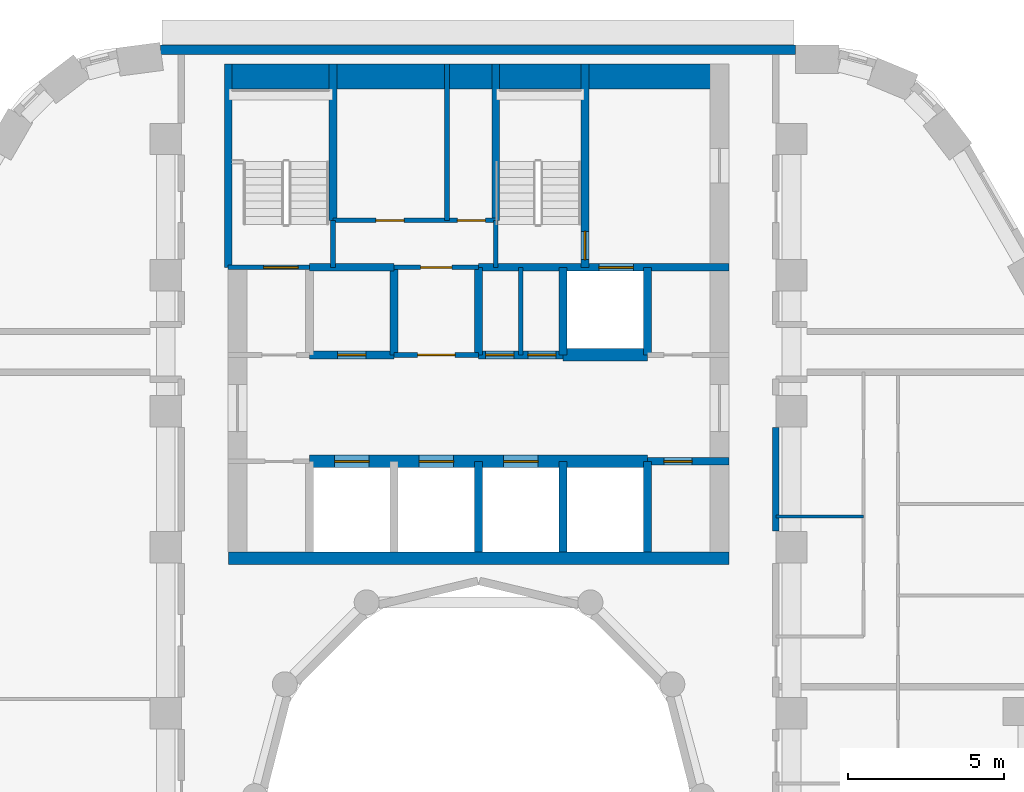
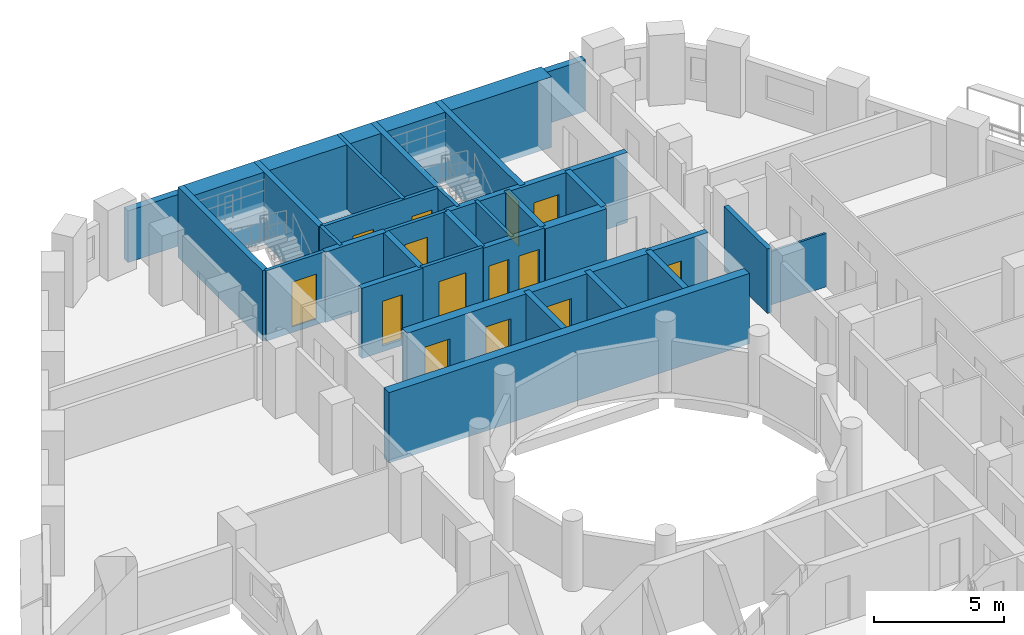
# One storey, part 7 of 13: 31 walls, 14 doors, 14 openings.
"""IFC4 building model written with IfcOpenShell, lengths in metres."""

from ifc_helpers import new_model, si_unit, direction, frame, frame_2d, origin, place, context, subcontext, project, spatial, rectangle, extrude, material, layer, layer_set, type_object, element, fill, save


model = new_model("IFC4")

# Units and contexts
model_context = context("Model", 3, precision=1e-05, world=origin(), true_north=direction((0.0, 1.0)))
body_context = subcontext(model_context, "Body", "Model", "MODEL_VIEW")
ifc_project = project(units=[si_unit("LENGTHUNIT", "METRE"), si_unit("AREAUNIT", "SQUARE_METRE"), si_unit("VOLUMEUNIT", "CUBIC_METRE"), si_unit("PLANEANGLEUNIT", "RADIAN"), si_unit("MASSUNIT", "GRAM", prefix="KILO")], contexts=[model_context])

# Site, building, storey
site_placement = place(None, origin())
site = spatial("IfcSite", under=ifc_project, at=site_placement, CompositionType="ELEMENT")
building_placement = place(site_placement, origin())
building = spatial("IfcBuilding", under=site, at=building_placement, Name="Nakaniwa Court", CompositionType="ELEMENT")
storey_placement = place(building_placement, frame((0.0, 0.0, 81.0)))
storey = spatial("IfcBuildingStorey", under=building, at=storey_placement, Name="L20", CompositionType="ELEMENT", Elevation=81.0)

# Walls
ifc_material_1 = material(Name="Acoustic double stud partition")
ifc_layer_1 = layer(ifc_material_1, 0.199951171875)
ifc_layer_set_1 = layer_set([ifc_layer_1], Name="Acoustic double stud partition")
wall_type_1 = type_object("IfcWallType", Name="Acoustic double stud partition 200", PredefinedType="PARTITIONING", material=ifc_layer_set_1)
wall_1_placement = place(storey_placement, frame((89.5, 88.467041015625, 0.0), z_axis=(0.0, 0.0, 1.0), x_axis=(0.0, 1.0, 0.0)))
element("IfcWall", 1, at=wall_1_placement, inside=storey, type_object=wall_type_1, Name="Partition PW-076", PredefinedType="PARTITIONING", context=body_context, shape_type="SweptSolid", body=[
    extrude(rectangle(XDim=3.31591796875, YDim=0.199951171875, at=frame_2d((1.657958984375, 0.0))), origin(), (0.0, 0.0, 1.0), 3.02490234375),
])
ifc_material_2 = material(Name="Charcoal ceramic cladding")
ifc_layer_2 = layer(ifc_material_2, 0.02, Name="Ceramic cladding")
ifc_material_3 = material(Name="Ventilated air cavity")
ifc_layer_3 = layer(ifc_material_3, 0.04, ventilated=True, Name="Ventilated cavity")
ifc_material_4 = material(Name="Mineral wool insulation")
ifc_layer_4 = layer(ifc_material_4, 0.1, Name="Insulation")
ifc_material_5 = material(Name="Cement bonded sheathing board")
ifc_layer_5 = layer(ifc_material_5, 0.012, Name="Sheathing")
ifc_material_6 = material(Name="Cold-formed galvanised stud frame with mineral wool infill")
ifc_layer_6 = layer(ifc_material_6, 0.1, Name="Stud frame")
ifc_material_7 = material(Name="Fire-rated gypsum plasterboard lining")
ifc_layer_7 = layer(ifc_material_7, 0.028, Name="Lining")
ifc_layer_set_2 = layer_set([ifc_layer_2, ifc_layer_3, ifc_layer_4, ifc_layer_5, ifc_layer_6, ifc_layer_7], Name="Charcoal ceramic faced external wall system")
wall_type_2 = type_object("IfcWallType", Name="Black ceramic faced external wall 300", PredefinedType="SOLIDWALL", material=ifc_layer_set_2)
wall_2_placement = place(storey_placement, frame((90.128662109375, 103.85009765625, 0.0), z_axis=(0.0, 0.0, 1.0), x_axis=(-1.0, 0.0, 0.0)))
element("IfcWall", 2, at=wall_2_placement, inside=storey, type_object=wall_type_2, Name="L20 external wall 08", PredefinedType="SOLIDWALL", context=body_context, shape_type="SweptSolid", body=[
    extrude(rectangle(XDim=20.290771484375, YDim=0.300048828125, at=frame_2d((10.1455078125, 0.0))), origin(), (0.0, 0.0, 1.0), 2.425048828125),
])

# Wall, opening, door
ifc_material_8 = material(Name="Blockwork partition", Category="masonry")
ifc_layer_8 = layer(ifc_material_8, 0.14990234375)
ifc_layer_set_3 = layer_set([ifc_layer_8], Name="Blockwork partition")
wall_type_3 = type_object("IfcWallType", Name="Blockwork partition 150", PredefinedType="PARTITIONING", material=ifc_layer_set_3)
wall_3_placement = place(storey_placement, frame((77.297119140625, 94.10009765625, 0.0), z_axis=(0.0, 0.0, 1.0), x_axis=(1.0, 0.0, 0.0)))
wall_3 = element("IfcWall", 3, at=wall_3_placement, inside=storey, type_object=wall_type_3, Name="Partition PW-017", PredefinedType="PARTITIONING", context=body_context, shape_type="SweptSolid", body=[
    extrude(rectangle(XDim=2.705810546875, YDim=0.14990234375, at=frame_2d((1.35302734375, 0.0))), origin(), (0.0, 0.0, 1.0), 3.02490234375),
])
opening_1_placement = place(wall_3_placement, frame((0.7529296875, 0.0, 0.0)))
opening_1 = element("IfcOpeningElement", 4, at=opening_1_placement, cuts=wall_3, Name="Opening D-06-01", PredefinedType="OPENING", context=body_context, shape_type="SweptSolid", body=[
    extrude(rectangle(XDim=1.199951171875, YDim=2.10009765625, at=frame_2d((0.60009765625, 1.050048828125))), frame((0.0, 0.0849609375, 0.0), z_axis=(0.0, -1.0, 0.0), x_axis=(1.0, 0.0, 0.0)), (0.0, 0.0, 1.0), 0.169921875),
])
ifc_material_9 = material(Name="Fire rated steel double door set", Category="steel")
door_type_1 = type_object("IfcDoorType", Name="Service passage double door 1200", OperationType="NOTDEFINED", PredefinedType="DOOR", material=ifc_material_9)
door_1_placement = place(opening_1_placement, origin())
door_1 = element("IfcDoor", 5, at=door_1_placement, inside=storey, type_object=door_type_1, Name="Door D-06-01 L20-005", OperationType="DOUBLE_DOOR_SINGLE_SWING", OverallHeight=2.10009765625, OverallWidth=1.199951171875, PredefinedType="DOOR", context=body_context, shape_type="SweptSolid", body=[
    extrude(rectangle(XDim=1.199951171875, YDim=2.10009765625, at=frame_2d((0.60009765625, 1.050048828125))), frame((0.0, 0.02490234375, 0.0), z_axis=(0.0, -1.0, 0.0), x_axis=(1.0, 0.0, 0.0)), (0.0, 0.0, 1.0), 0.050048828125),
])
fill(opening_1, door_1)

wall_4_placement = place(storey_placement, frame((77.300048828125, 96.89990234375, 0.0), z_axis=(0.0, 0.0, 1.0), x_axis=(1.0, 0.0, 0.0)))
wall_4 = element("IfcWall", 6, at=wall_4_placement, inside=storey, type_object=wall_type_3, Name="Partition PW-025", PredefinedType="PARTITIONING", context=body_context, shape_type="SweptSolid", body=[
    extrude(rectangle(XDim=2.699951171875, YDim=0.14990234375, at=frame_2d((1.35009765625, 0.0))), origin(), (0.0, 0.0, 1.0), 3.02490234375),
])
opening_2_placement = place(wall_4_placement, frame((0.85009765625, 0.0, 0.0)))
opening_2 = element("IfcOpeningElement", 7, at=opening_2_placement, cuts=wall_4, Name="Opening D-23-01", PredefinedType="OPENING", context=body_context, shape_type="SweptSolid", body=[
    extrude(rectangle(XDim=1.0, YDim=2.10009765625, at=frame_2d((0.5, 1.050048828125))), frame((0.0, 0.0849609375, 0.0), z_axis=(0.0, -1.0, 0.0), x_axis=(1.0, 0.0, 0.0)), (0.0, 0.0, 1.0), 0.169921875),
])
ifc_material_10 = material(Name="Fire rated steel door set", Category="steel")
door_type_2 = type_object("IfcDoorType", Name="Service room door 1000", OperationType="NOTDEFINED", PredefinedType="DOOR", material=ifc_material_10)
door_2_placement = place(opening_2_placement, origin())
door_2 = element("IfcDoor", 8, at=door_2_placement, inside=storey, type_object=door_type_2, Name="Door D-23-01 L20-009", OperationType="SINGLE_SWING_RIGHT", OverallHeight=2.10009765625, OverallWidth=1.0, PredefinedType="DOOR", context=body_context, shape_type="SweptSolid", body=[
    extrude(rectangle(XDim=1.0, YDim=2.10009765625, at=frame_2d((0.5, 1.050048828125))), frame((0.0, 0.02490234375, 0.0), z_axis=(0.0, -1.0, 0.0), x_axis=(1.0, 0.0, 0.0)), (0.0, 0.0, 1.0), 0.050048828125),
])
fill(opening_2, door_2)

# Wall
wall_5_placement = place(storey_placement, frame((81.35009765625, 94.10009765625, 0.0), z_axis=(0.0, 0.0, 1.0), x_axis=(0.0, 1.0, 0.0)))
element("IfcWall", 9, at=wall_5_placement, inside=storey, type_object=wall_type_3, Name="Partition PW-026", PredefinedType="PARTITIONING", context=body_context, shape_type="SweptSolid", body=[
    extrude(rectangle(XDim=2.7998046875, YDim=0.14990234375, at=frame_2d((1.39990234375, 0.0))), origin(), (0.0, 0.0, 1.0), 3.02490234375),
])

# Wall, openings, doors
wall_6_placement = place(storey_placement, frame((75.35009765625, 98.39990234375, 0.0), z_axis=(0.0, 0.0, 1.0), x_axis=(1.0, 0.0, 0.0)))
wall_6 = element("IfcWall", 10, at=wall_6_placement, inside=storey, type_object=wall_type_3, Name="Partition PW-033", PredefinedType="PARTITIONING", context=body_context, shape_type="SweptSolid", body=[
    extrude(rectangle(XDim=5.199951171875, YDim=0.14990234375, at=frame_2d((2.60009765625, 0.0))), origin(), (0.0, 0.0, 1.0), 3.02490234375),
])
opening_3_placement = place(wall_6_placement, frame((1.3701171875, 0.0, 0.0)))
opening_3 = element("IfcOpeningElement", 11, at=opening_3_placement, cuts=wall_6, Name="Opening D-05-07", PredefinedType="OPENING", context=body_context, shape_type="SweptSolid", body=[
    extrude(rectangle(XDim=0.89990234375, YDim=2.10009765625, at=frame_2d((0.449951171875, 1.050048828125))), frame((0.0, 0.0849609375, 0.0), z_axis=(0.0, -1.0, 0.0), x_axis=(1.0, 0.0, 0.0)), (0.0, 0.0, 1.0), 0.169921875),
])
opening_4_placement = place(wall_6_placement, frame((3.969970703125, 0.0, 0.0)))
opening_4 = element("IfcOpeningElement", 12, at=opening_4_placement, cuts=wall_6, Name="Opening D-05-08", PredefinedType="OPENING", context=body_context, shape_type="SweptSolid", body=[
    extrude(rectangle(XDim=0.89990234375, YDim=2.10009765625, at=frame_2d((0.449951171875, 1.050048828125))), frame((0.0, 0.0849609375, 0.0), z_axis=(0.0, -1.0, 0.0), x_axis=(1.0, 0.0, 0.0)), (0.0, 0.0, 1.0), 0.169921875),
])
door_type_3 = type_object("IfcDoorType", Name="Service room door 900", OperationType="NOTDEFINED", PredefinedType="DOOR", material=ifc_material_10)
door_3_placement = place(opening_3_placement, origin())
door_3 = element("IfcDoor", 13, at=door_3_placement, inside=storey, type_object=door_type_3, Name="Door D-05-07 L20-010", OperationType="SINGLE_SWING_LEFT", OverallHeight=2.10009765625, OverallWidth=0.89990234375, PredefinedType="DOOR", context=body_context, shape_type="SweptSolid", body=[
    extrude(rectangle(XDim=0.89990234375, YDim=2.10009765625, at=frame_2d((0.449951171875, 1.050048828125))), frame((0.0, 0.02490234375, 0.0), z_axis=(0.0, -1.0, 0.0), x_axis=(1.0, 0.0, 0.0)), (0.0, 0.0, 1.0), 0.050048828125),
])
fill(opening_3, door_3)
door_4_placement = place(opening_4_placement, origin())
door_4 = element("IfcDoor", 14, at=door_4_placement, inside=storey, type_object=door_type_3, Name="Door D-05-08 L20-011", OperationType="SINGLE_SWING_RIGHT", OverallHeight=2.10009765625, OverallWidth=0.89990234375, PredefinedType="DOOR", context=body_context, shape_type="SweptSolid", body=[
    extrude(rectangle(XDim=0.89990234375, YDim=2.10009765625, at=frame_2d((0.449951171875, 1.050048828125))), frame((0.0, 0.02490234375, 0.0), z_axis=(0.0, -1.0, 0.0), x_axis=(1.0, 0.0, 0.0)), (0.0, 0.0, 1.0), 0.050048828125),
])
fill(opening_4, door_4)

# Wall
wall_7_placement = place(storey_placement, frame((78.989990234375, 98.39990234375, 0.0), z_axis=(0.0, 0.0, 1.0), x_axis=(0.0, 1.0, 0.0)))
element("IfcWall", 15, at=wall_7_placement, inside=storey, type_object=wall_type_3, Name="Partition PW-034", PredefinedType="PARTITIONING", context=body_context, shape_type="SweptSolid", body=[
    extrude(rectangle(XDim=5.0, YDim=0.14990234375, at=frame_2d((2.5, 0.0))), origin(), (0.0, 0.0, 1.0), 3.02490234375),
])

# Wall, openings, doors
ifc_material_11 = material(Name="Concrete C80/100", Category="concrete")
ifc_layer_9 = layer(ifc_material_11, 0.39990234375)
ifc_layer_set_4 = layer_set([ifc_layer_9], Name="Concrete C80/100")
wall_type_4 = type_object("IfcWallType", Name="Concrete core spine wall 400 C80", PredefinedType="SHEAR", material=ifc_layer_set_4)
wall_8_placement = place(storey_placement, frame((74.60009765625, 90.699951171875, -0.27490234375), z_axis=(0.0, 0.0, 1.0), x_axis=(1.0, 0.0, 0.0)))
wall_8 = element("IfcWall", 16, at=wall_8_placement, inside=storey, type_object=wall_type_4, Name="Core wall SW-07", PredefinedType="SHEAR", context=body_context, shape_type="SweptSolid", body=[
    extrude(rectangle(XDim=10.7998046875, YDim=0.39990234375, at=frame_2d((5.39990234375, 0.0))), origin(), (0.0, 0.0, 1.0), 3.2998046875),
])
opening_5_placement = place(wall_8_placement, frame((0.800048828125, 0.0, 0.27490234375)))
opening_5 = element("IfcOpeningElement", 17, at=opening_5_placement, cuts=wall_8, Name="Opening LD01", PredefinedType="OPENING", context=body_context, shape_type="SweptSolid", body=[
    extrude(rectangle(XDim=1.10009765625, YDim=2.10009765625, at=frame_2d((0.550048828125, 1.050048828125))), frame((0.0, 0.2099609375, 0.0), z_axis=(0.0, -1.0, 0.0), x_axis=(1.0, 0.0, 0.0)), (0.0, 0.0, 1.0), 0.419921875),
])
opening_6_placement = place(wall_8_placement, frame((3.5, 0.0, 0.27490234375)))
opening_6 = element("IfcOpeningElement", 18, at=opening_6_placement, cuts=wall_8, Name="Opening LD02", PredefinedType="OPENING", context=body_context, shape_type="SweptSolid", body=[
    extrude(rectangle(XDim=1.10009765625, YDim=2.10009765625, at=frame_2d((0.550048828125, 1.050048828125))), frame((0.0, 0.2099609375, 0.0), z_axis=(0.0, -1.0, 0.0), x_axis=(1.0, 0.0, 0.0)), (0.0, 0.0, 1.0), 0.419921875),
])
opening_7_placement = place(wall_8_placement, frame((6.199951171875, 0.0, 0.27490234375)))
opening_7 = element("IfcOpeningElement", 19, at=opening_7_placement, cuts=wall_8, Name="Opening LD03", PredefinedType="OPENING", context=body_context, shape_type="SweptSolid", body=[
    extrude(rectangle(XDim=1.10009765625, YDim=2.10009765625, at=frame_2d((0.550048828125, 1.050048828125))), frame((0.0, 0.2099609375, 0.0), z_axis=(0.0, -1.0, 0.0), x_axis=(1.0, 0.0, 0.0)), (0.0, 0.0, 1.0), 0.419921875),
])
ifc_material_12 = material(Name="Stainless steel sliding lift landing door", Category="steel")
door_type_4 = type_object("IfcDoorType", Name="Lift landing door 1100", OperationType="NOTDEFINED", PredefinedType="DOOR", material=ifc_material_12)
door_5_placement = place(opening_5_placement, origin())
door_5 = element("IfcDoor", 20, at=door_5_placement, inside=storey, type_object=door_type_4, Name="Lift landing door LD01 L20-001", OperationType="SLIDING_TO_LEFT", OverallHeight=2.10009765625, OverallWidth=1.10009765625, PredefinedType="DOOR", context=body_context, shape_type="SweptSolid", body=[
    extrude(rectangle(XDim=1.10009765625, YDim=2.10009765625, at=frame_2d((0.550048828125, 1.050048828125))), frame((0.0, 0.02490234375, 0.0), z_axis=(0.0, -1.0, 0.0), x_axis=(1.0, 0.0, 0.0)), (0.0, 0.0, 1.0), 0.050048828125),
])
fill(opening_5, door_5)
door_6_placement = place(opening_6_placement, origin())
door_6 = element("IfcDoor", 21, at=door_6_placement, inside=storey, type_object=door_type_4, Name="Lift landing door LD02 L20-002", OperationType="SLIDING_TO_LEFT", OverallHeight=2.10009765625, OverallWidth=1.10009765625, PredefinedType="DOOR", context=body_context, shape_type="SweptSolid", body=[
    extrude(rectangle(XDim=1.10009765625, YDim=2.10009765625, at=frame_2d((0.550048828125, 1.050048828125))), frame((0.0, 0.02490234375, 0.0), z_axis=(0.0, -1.0, 0.0), x_axis=(1.0, 0.0, 0.0)), (0.0, 0.0, 1.0), 0.050048828125),
])
fill(opening_6, door_6)
door_7_placement = place(opening_7_placement, origin())
door_7 = element("IfcDoor", 22, at=door_7_placement, inside=storey, type_object=door_type_4, Name="Lift landing door LD03 L20-003", OperationType="SLIDING_TO_LEFT", OverallHeight=2.10009765625, OverallWidth=1.10009765625, PredefinedType="DOOR", context=body_context, shape_type="SweptSolid", body=[
    extrude(rectangle(XDim=1.10009765625, YDim=2.10009765625, at=frame_2d((0.550048828125, 1.050048828125))), frame((0.0, 0.02490234375, 0.0), z_axis=(0.0, -1.0, 0.0), x_axis=(1.0, 0.0, 0.0)), (0.0, 0.0, 1.0), 0.050048828125),
])
fill(opening_7, door_7)

# Wall
wall_9_placement = place(storey_placement, frame((82.697021484375, 94.10009765625, -0.27490234375), z_axis=(0.0, 0.0, 1.0), x_axis=(1.0, 0.0, 0.0)))
element("IfcWall", 23, at=wall_9_placement, inside=storey, type_object=wall_type_4, Name="Core wall SW-21", PredefinedType="SHEAR", context=body_context, shape_type="SweptSolid", body=[
    extrude(rectangle(XDim=2.7060546875, YDim=0.39990234375, at=frame_2d((1.35302734375, 0.0))), origin(), (0.0, 0.0, 1.0), 3.2998046875),
])

# Wall, opening, door
ifc_layer_10 = layer(ifc_material_11, 0.14990234375)
ifc_layer_set_5 = layer_set([ifc_layer_10], Name="Concrete C80/100")
wall_type_5 = type_object("IfcWallType", Name="Concrete core wall 150 C80", PredefinedType="SHEAR", material=ifc_layer_set_5)
wall_10_placement = place(storey_placement, frame((74.60009765625, 96.89990234375, -0.27490234375), z_axis=(0.0, 0.0, 1.0), x_axis=(-1.0, 0.0, 0.0)))
wall_10 = element("IfcWall", 24, at=wall_10_placement, inside=storey, type_object=wall_type_5, Name="Core wall SW-22", PredefinedType="SHEAR", context=body_context, shape_type="SweptSolid", body=[
    extrude(rectangle(XDim=2.60009765625, YDim=0.14990234375, at=frame_2d((1.300048828125, 0.0))), origin(), (0.0, 0.0, 1.0), 3.2998046875),
])
opening_8_placement = place(wall_10_placement, frame((0.3701171875, 0.0, 0.27490234375)))
opening_8 = element("IfcOpeningElement", 25, at=opening_8_placement, cuts=wall_10, Name="Opening D-09-01", PredefinedType="OPENING", context=body_context, shape_type="SweptSolid", body=[
    extrude(rectangle(XDim=1.10009765625, YDim=2.10009765625, at=frame_2d((0.550048828125, 1.050048828125))), frame((0.0, 0.0849609375, 0.0), z_axis=(0.0, -1.0, 0.0), x_axis=(1.0, 0.0, 0.0)), (0.0, 0.0, 1.0), 0.169921875),
])
door_type_5 = type_object("IfcDoorType", Name="Stair door 1100", OperationType="NOTDEFINED", PredefinedType="DOOR", material=ifc_material_10)
door_8_placement = place(opening_8_placement, origin())
door_8 = element("IfcDoor", 26, at=door_8_placement, inside=storey, type_object=door_type_5, Name="Door D-09-01 L20-012", OperationType="SINGLE_SWING_RIGHT", OverallHeight=2.10009765625, OverallWidth=1.10009765625, PredefinedType="DOOR", context=body_context, shape_type="SweptSolid", body=[
    extrude(rectangle(XDim=1.10009765625, YDim=2.10009765625, at=frame_2d((0.550048828125, 1.050048828125))), frame((0.0, 0.02490234375, 0.0), z_axis=(0.0, -1.0, 0.0), x_axis=(1.0, 0.0, 0.0)), (0.0, 0.0, 1.0), 0.050048828125),
])
fill(opening_8, door_8)

# Walls
for number, where, z_axis, x_axis, name in (
    (27, (75.35009765625, 96.89990234375, -0.27490234375), (0.0, 0.0, 1.0), (0.0, 1.0, 0.0), "Core wall SW-27"),
    (28, (80.550048828125, 96.89990234375, -0.27490234375), (0.0, 0.0, 1.0), (0.0, 1.0, 0.0), "Core wall SW-31"),
):
    element("IfcWall", number, at=place(storey_placement, frame(where, z_axis=z_axis, x_axis=x_axis)), inside=storey, type_object=wall_type_5, Name=name, PredefinedType="SHEAR", context=body_context, shape_type="SweptSolid", body=[
        extrude(rectangle(XDim=1.503173828125, YDim=0.14990234375, at=frame_2d((0.75146484375, 0.0))), origin(), (0.0, 0.0, 1.0), 3.2998046875),
    ])
ifc_layer_11 = layer(ifc_material_11, 0.25)
ifc_layer_set_6 = layer_set([ifc_layer_11], Name="Concrete C80/100")
wall_type_6 = type_object("IfcWallType", Name="Concrete core wall 250 C80", PredefinedType="SHEAR", material=ifc_layer_set_6)
wall_11_placement = place(storey_placement, frame((72.0, 96.89990234375, -0.27490234375), z_axis=(0.0, 0.0, 1.0), x_axis=(0.0, 1.0, 0.0)))
element("IfcWall", 29, at=wall_11_placement, inside=storey, type_object=wall_type_6, Name="Core wall SW-29", PredefinedType="SHEAR", context=body_context, shape_type="SweptSolid", body=[
    extrude(rectangle(XDim=6.5, YDim=0.25, at=frame_2d((3.25, 0.0))), origin(), (0.0, 0.0, 1.0), 3.2998046875),
])
ifc_layer_12 = layer(ifc_material_11, 0.800048828125)
ifc_layer_set_7 = layer_set([ifc_layer_12], Name="Concrete C80/100")
wall_type_7 = type_object("IfcWallType", Name="Concrete core wall 800 C80", PredefinedType="SHEAR", material=ifc_layer_set_7)
wall_12_placement = place(storey_placement, frame((72.00390625, 103.0, -0.27490234375), z_axis=(0.0, 0.0, 1.0), x_axis=(1.0, 0.0, 0.0)))
element("IfcWall", 30, at=wall_12_placement, inside=storey, type_object=wall_type_7, Name="Core wall SW-123", PredefinedType="SHEAR", context=body_context, shape_type="SweptSolid", body=[
    extrude(rectangle(XDim=15.9921875, YDim=0.800048828125, at=frame_2d((7.99609375, 0.0))), origin(), (0.0, 0.0, 1.0), 3.2998046875),
])
ifc_layer_13 = layer(ifc_material_11, 0.39990234375)
ifc_layer_set_8 = layer_set([ifc_layer_13], Name="Concrete C80/100")
wall_type_8 = type_object("IfcWallType", Name="Concrete core well wall 400 C80", PredefinedType="SHEAR", material=ifc_layer_set_8)
wall_13_placement = place(storey_placement, frame((72.00390625, 87.60009765625, -0.27490234375), z_axis=(0.0, 0.0, 1.0), x_axis=(1.0, 0.0, 0.0)))
element("IfcWall", 31, at=wall_13_placement, inside=storey, type_object=wall_type_8, Name="Core wall SW-122", PredefinedType="SHEAR", context=body_context, shape_type="SweptSolid", body=[
    extrude(rectangle(XDim=15.9921875, YDim=0.39990234375, at=frame_2d((7.99609375, 0.0))), origin(), (0.0, 0.0, 1.0), 3.2998046875),
])
ifc_layer_14 = layer(ifc_material_11, 0.25)
ifc_layer_set_9 = layer_set([ifc_layer_14], Name="Concrete C80/100")
wall_type_9 = type_object("IfcWallType", Name="Concrete shaft wall 250 C80", PredefinedType="SHEAR", material=ifc_layer_set_9)
wall_14_placement = place(storey_placement, frame((77.300048828125, 94.10009765625, -0.27490234375), z_axis=(0.0, 0.0, 1.0), x_axis=(0.0, 1.0, 0.0)))
element("IfcWall", 32, at=wall_14_placement, inside=storey, type_object=wall_type_9, Name="Core wall SW-06", PredefinedType="SHEAR", context=body_context, shape_type="SweptSolid", body=[
    extrude(rectangle(XDim=2.7998046875, YDim=0.25, at=frame_2d((1.39990234375, 0.0))), origin(), (0.0, 0.0, 1.0), 3.2998046875),
])
wall_15_placement = place(storey_placement, frame((80.0, 87.800048828125, -0.27490234375), z_axis=(0.0, 0.0, 1.0), x_axis=(0.0, 1.0, 0.0)))
element("IfcWall", 33, at=wall_15_placement, inside=storey, type_object=wall_type_9, Name="Core wall SW-08", PredefinedType="SHEAR", context=body_context, shape_type="SweptSolid", body=[
    extrude(rectangle(XDim=2.89990234375, YDim=0.25, at=frame_2d((1.449951171875, 0.0))), origin(), (0.0, 0.0, 1.0), 3.2998046875),
])
wall_16_placement = place(storey_placement, frame((80.0, 94.10009765625, -0.27490234375), z_axis=(0.0, 0.0, 1.0), x_axis=(0.0, 1.0, 0.0)))
element("IfcWall", 34, at=wall_16_placement, inside=storey, type_object=wall_type_9, Name="Core wall SW-09", PredefinedType="SHEAR", context=body_context, shape_type="SweptSolid", body=[
    extrude(rectangle(XDim=2.7998046875, YDim=0.25, at=frame_2d((1.39990234375, 0.0))), origin(), (0.0, 0.0, 1.0), 3.2998046875),
])
wall_17_placement = place(storey_placement, frame((82.699951171875, 87.800048828125, -0.27490234375), z_axis=(0.0, 0.0, 1.0), x_axis=(0.0, 1.0, 0.0)))
element("IfcWall", 35, at=wall_17_placement, inside=storey, type_object=wall_type_9, Name="Core wall SW-10", PredefinedType="SHEAR", context=body_context, shape_type="SweptSolid", body=[
    extrude(rectangle(XDim=2.89990234375, YDim=0.25, at=frame_2d((1.449951171875, 0.0))), origin(), (0.0, 0.0, 1.0), 3.2998046875),
])
wall_18_placement = place(storey_placement, frame((82.699951171875, 94.10009765625, -0.27490234375), z_axis=(0.0, 0.0, 1.0), x_axis=(0.0, 1.0, 0.0)))
element("IfcWall", 36, at=wall_18_placement, inside=storey, type_object=wall_type_9, Name="Core wall SW-11", PredefinedType="SHEAR", context=body_context, shape_type="SweptSolid", body=[
    extrude(rectangle(XDim=2.7998046875, YDim=0.25, at=frame_2d((1.39990234375, 0.0))), origin(), (0.0, 0.0, 1.0), 3.2998046875),
])
wall_19_placement = place(storey_placement, frame((85.39990234375, 87.800048828125, -0.27490234375), z_axis=(0.0, 0.0, 1.0), x_axis=(0.0, 1.0, 0.0)))
element("IfcWall", 37, at=wall_19_placement, inside=storey, type_object=wall_type_9, Name="Core wall SW-12", PredefinedType="SHEAR", context=body_context, shape_type="SweptSolid", body=[
    extrude(rectangle(XDim=2.89990234375, YDim=0.25, at=frame_2d((1.449951171875, 0.0))), origin(), (0.0, 0.0, 1.0), 3.2998046875),
])
wall_20_placement = place(storey_placement, frame((85.39990234375, 94.10009765625, -0.27490234375), z_axis=(0.0, 0.0, 1.0), x_axis=(0.0, 1.0, 0.0)))
element("IfcWall", 38, at=wall_20_placement, inside=storey, type_object=wall_type_9, Name="Core wall SW-13", PredefinedType="SHEAR", context=body_context, shape_type="SweptSolid", body=[
    extrude(rectangle(XDim=2.7998046875, YDim=0.25, at=frame_2d((1.39990234375, 0.0))), origin(), (0.0, 0.0, 1.0), 3.2998046875),
])

# Wall, opening, door
wall_21_placement = place(storey_placement, frame((88.0, 90.699951171875, -0.27490234375), z_axis=(0.0, 0.0, 1.0), x_axis=(-1.0, 0.0, 0.0)))
wall_21 = element("IfcWall", 39, at=wall_21_placement, inside=storey, type_object=wall_type_9, Name="Core wall SW-14", PredefinedType="SHEAR", context=body_context, shape_type="SweptSolid", body=[
    extrude(rectangle(XDim=2.60009765625, YDim=0.25, at=frame_2d((1.300048828125, 0.0))), origin(), (0.0, 0.0, 1.0), 3.2998046875),
])
opening_9_placement = place(wall_21_placement, frame((1.175048828125, 0.0, 0.27490234375)))
opening_9 = element("IfcOpeningElement", 40, at=opening_9_placement, cuts=wall_21, Name="Opening D-05-02", PredefinedType="OPENING", context=body_context, shape_type="SweptSolid", body=[
    extrude(rectangle(XDim=0.89990234375, YDim=2.10009765625, at=frame_2d((0.449951171875, 1.050048828125))), frame((0.0, 0.135009765625, 0.0), z_axis=(0.0, -1.0, 0.0), x_axis=(1.0, 0.0, 0.0)), (0.0, 0.0, 1.0), 0.27001953125),
])
door_9_placement = place(opening_9_placement, origin())
door_9 = element("IfcDoor", 41, at=door_9_placement, inside=storey, type_object=door_type_3, Name="Door D-05-02 L20-002", OperationType="SINGLE_SWING_LEFT", OverallHeight=2.10009765625, OverallWidth=0.89990234375, PredefinedType="DOOR", context=body_context, shape_type="SweptSolid", body=[
    extrude(rectangle(XDim=0.89990234375, YDim=2.10009765625, at=frame_2d((0.449951171875, 1.050048828125))), frame((0.0, 0.02490234375, 0.0), z_axis=(0.0, -1.0, 0.0), x_axis=(1.0, 0.0, 0.0)), (0.0, 0.0, 1.0), 0.050048828125),
])
fill(opening_9, door_9)

wall_22_placement = place(storey_placement, frame((74.596923828125, 94.10009765625, -0.27490234375), z_axis=(0.0, 0.0, 1.0), x_axis=(1.0, 0.0, 0.0)))
wall_22 = element("IfcWall", 42, at=wall_22_placement, inside=storey, type_object=wall_type_9, Name="Core wall SW-19", PredefinedType="SHEAR", context=body_context, shape_type="SweptSolid", body=[
    extrude(rectangle(XDim=2.7060546875, YDim=0.25, at=frame_2d((1.35302734375, 0.0))), origin(), (0.0, 0.0, 1.0), 3.2998046875),
])
opening_10_placement = place(wall_22_placement, frame((0.903076171875, 0.0, 0.27490234375)))
opening_10 = element("IfcOpeningElement", 43, at=opening_10_placement, cuts=wall_22, Name="Opening D-05-03", PredefinedType="OPENING", context=body_context, shape_type="SweptSolid", body=[
    extrude(rectangle(XDim=0.89990234375, YDim=2.10009765625, at=frame_2d((0.449951171875, 1.050048828125))), frame((0.0, 0.135009765625, 0.0), z_axis=(0.0, -1.0, 0.0), x_axis=(1.0, 0.0, 0.0)), (0.0, 0.0, 1.0), 0.27001953125),
])
door_10_placement = place(opening_10_placement, origin())
door_10 = element("IfcDoor", 44, at=door_10_placement, inside=storey, type_object=door_type_3, Name="Door D-05-03 L20-004", OperationType="SINGLE_SWING_LEFT", OverallHeight=2.10009765625, OverallWidth=0.89990234375, PredefinedType="DOOR", context=body_context, shape_type="SweptSolid", body=[
    extrude(rectangle(XDim=0.89990234375, YDim=2.10009765625, at=frame_2d((0.449951171875, 1.050048828125))), frame((0.0, 0.02490234375, 0.0), z_axis=(0.0, -1.0, 0.0), x_axis=(1.0, 0.0, 0.0)), (0.0, 0.0, 1.0), 0.050048828125),
])
fill(opening_10, door_10)

# Wall, openings, doors
wall_23_placement = place(storey_placement, frame((79.9970703125, 94.10009765625, -0.27490234375), z_axis=(0.0, 0.0, 1.0), x_axis=(1.0, 0.0, 0.0)))
wall_23 = element("IfcWall", 45, at=wall_23_placement, inside=storey, type_object=wall_type_9, Name="Core wall SW-20", PredefinedType="SHEAR", context=body_context, shape_type="SweptSolid", body=[
    extrude(rectangle(XDim=2.705810546875, YDim=0.25, at=frame_2d((1.35302734375, 0.0))), origin(), (0.0, 0.0, 1.0), 3.2998046875),
])
opening_11_placement = place(wall_23_placement, frame((0.22802734375, 0.0, 0.27490234375)))
opening_11 = element("IfcOpeningElement", 46, at=opening_11_placement, cuts=wall_23, Name="Opening D-05-04", PredefinedType="OPENING", context=body_context, shape_type="SweptSolid", body=[
    extrude(rectangle(XDim=0.89990234375, YDim=2.10009765625, at=frame_2d((0.449951171875, 1.050048828125))), frame((0.0, 0.135009765625, 0.0), z_axis=(0.0, -1.0, 0.0), x_axis=(1.0, 0.0, 0.0)), (0.0, 0.0, 1.0), 0.27001953125),
])
opening_12_placement = place(wall_23_placement, frame((1.577880859375, 0.0, 0.27490234375)))
opening_12 = element("IfcOpeningElement", 47, at=opening_12_placement, cuts=wall_23, Name="Opening D-05-05", PredefinedType="OPENING", context=body_context, shape_type="SweptSolid", body=[
    extrude(rectangle(XDim=0.89990234375, YDim=2.10009765625, at=frame_2d((0.449951171875, 1.050048828125))), frame((0.0, 0.135009765625, 0.0), z_axis=(0.0, -1.0, 0.0), x_axis=(1.0, 0.0, 0.0)), (0.0, 0.0, 1.0), 0.27001953125),
])
door_11_placement = place(opening_11_placement, origin())
door_11 = element("IfcDoor", 48, at=door_11_placement, inside=storey, type_object=door_type_3, Name="Door D-05-04 L20-006", OperationType="SINGLE_SWING_LEFT", OverallHeight=2.10009765625, OverallWidth=0.89990234375, PredefinedType="DOOR", context=body_context, shape_type="SweptSolid", body=[
    extrude(rectangle(XDim=0.89990234375, YDim=2.10009765625, at=frame_2d((0.449951171875, 1.050048828125))), frame((0.0, 0.02490234375, 0.0), z_axis=(0.0, -1.0, 0.0), x_axis=(1.0, 0.0, 0.0)), (0.0, 0.0, 1.0), 0.050048828125),
])
fill(opening_11, door_11)
door_12_placement = place(opening_12_placement, origin())
door_12 = element("IfcDoor", 49, at=door_12_placement, inside=storey, type_object=door_type_3, Name="Door D-05-05 L20-007", OperationType="SINGLE_SWING_RIGHT", OverallHeight=2.10009765625, OverallWidth=0.89990234375, PredefinedType="DOOR", context=body_context, shape_type="SweptSolid", body=[
    extrude(rectangle(XDim=0.89990234375, YDim=2.10009765625, at=frame_2d((0.449951171875, 1.050048828125))), frame((0.0, 0.02490234375, 0.0), z_axis=(0.0, -1.0, 0.0), x_axis=(1.0, 0.0, 0.0)), (0.0, 0.0, 1.0), 0.050048828125),
])
fill(opening_12, door_12)

# Wall
wall_24_placement = place(storey_placement, frame((74.60009765625, 96.89990234375, -0.27490234375), z_axis=(0.0, 0.0, 1.0), x_axis=(1.0, 0.0, 0.0)))
element("IfcWall", 50, at=wall_24_placement, inside=storey, type_object=wall_type_9, Name="Core wall SW-23", PredefinedType="SHEAR", context=body_context, shape_type="SweptSolid", body=[
    extrude(rectangle(XDim=2.699951171875, YDim=0.25, at=frame_2d((1.35009765625, 0.0))), origin(), (0.0, 0.0, 1.0), 3.2998046875),
])

# Wall, opening, door
wall_25_placement = place(storey_placement, frame((80.0, 96.89990234375, -0.27490234375), z_axis=(0.0, 0.0, 1.0), x_axis=(1.0, 0.0, 0.0)))
wall_25 = element("IfcWall", 51, at=wall_25_placement, inside=storey, type_object=wall_type_9, Name="Core wall SW-24", PredefinedType="SHEAR", context=body_context, shape_type="SweptSolid", body=[
    extrude(rectangle(XDim=8.0, YDim=0.25, at=frame_2d((4.0, 0.0))), origin(), (0.0, 0.0, 1.0), 3.2998046875),
])
opening_13_placement = place(wall_25_placement, frame((3.84912109375, 0.0, 0.27490234375)))
opening_13 = element("IfcOpeningElement", 52, at=opening_13_placement, cuts=wall_25, Name="Opening LD04", PredefinedType="OPENING", context=body_context, shape_type="SweptSolid", body=[
    extrude(rectangle(XDim=1.10009765625, YDim=2.10009765625, at=frame_2d((0.550048828125, 1.050048828125))), frame((0.0, 0.135009765625, 0.0), z_axis=(0.0, -1.0, 0.0), x_axis=(1.0, 0.0, 0.0)), (0.0, 0.0, 1.0), 0.27001953125),
])
door_13_placement = place(opening_13_placement, origin())
door_13 = element("IfcDoor", 53, at=door_13_placement, inside=storey, type_object=door_type_4, Name="Lift landing door LD04 L20-004", OperationType="SLIDING_TO_LEFT", OverallHeight=2.10009765625, OverallWidth=1.10009765625, PredefinedType="DOOR", context=body_context, shape_type="SweptSolid", body=[
    extrude(rectangle(XDim=1.10009765625, YDim=2.10009765625, at=frame_2d((0.550048828125, 1.050048828125))), frame((0.0, 0.02490234375, 0.0), z_axis=(0.0, -1.0, 0.0), x_axis=(1.0, 0.0, 0.0)), (0.0, 0.0, 1.0), 0.050048828125),
])
fill(opening_13, door_13)

# Wall
wall_26_placement = place(storey_placement, frame((75.35009765625, 98.39697265625, -0.27490234375), z_axis=(0.0, 0.0, 1.0), x_axis=(0.0, 1.0, 0.0)))
element("IfcWall", 54, at=wall_26_placement, inside=storey, type_object=wall_type_9, Name="Core wall SW-28", PredefinedType="SHEAR", context=body_context, shape_type="SweptSolid", body=[
    extrude(rectangle(XDim=5.0029296875, YDim=0.25, at=frame_2d((2.50146484375, 0.0))), origin(), (0.0, 0.0, 1.0), 3.2998046875),
])

# Wall, opening, door
wall_27_placement = place(storey_placement, frame((83.39990234375, 103.39990234375, -0.27490234375), z_axis=(0.0, 0.0, 1.0), x_axis=(0.0, -1.0, 0.0)))
wall_27 = element("IfcWall", 55, at=wall_27_placement, inside=storey, type_object=wall_type_9, Name="Core wall SW-30", PredefinedType="SHEAR", context=body_context, shape_type="SweptSolid", body=[
    extrude(rectangle(XDim=6.5, YDim=0.25, at=frame_2d((3.25, 0.0))), origin(), (0.0, 0.0, 1.0), 3.2998046875),
])
opening_14_placement = place(wall_27_placement, frame((5.35009765625, 0.0, 0.27490234375)))
opening_14 = element("IfcOpeningElement", 56, at=opening_14_placement, cuts=wall_27, Name="Opening D-11-01", PredefinedType="OPENING", context=body_context, shape_type="SweptSolid", body=[
    extrude(rectangle(XDim=0.89990234375, YDim=2.10009765625, at=frame_2d((0.449951171875, 1.050048828125))), frame((0.0, 0.135009765625, 0.0), z_axis=(0.0, -1.0, 0.0), x_axis=(1.0, 0.0, 0.0)), (0.0, 0.0, 1.0), 0.27001953125),
])
door_type_6 = type_object("IfcDoorType", Name="Stair door 900", OperationType="NOTDEFINED", PredefinedType="DOOR", material=ifc_material_10)
door_14_placement = place(opening_14_placement, origin())
door_14 = element("IfcDoor", 57, at=door_14_placement, inside=storey, type_object=door_type_6, Name="Door D-11-01 L20-013", OperationType="SINGLE_SWING_LEFT", OverallHeight=2.10009765625, OverallWidth=0.89990234375, PredefinedType="DOOR", context=body_context, shape_type="SweptSolid", body=[
    extrude(rectangle(XDim=0.89990234375, YDim=2.10009765625, at=frame_2d((0.449951171875, 1.050048828125))), frame((0.0, 0.02490234375, 0.0), z_axis=(0.0, -1.0, 0.0), x_axis=(1.0, 0.0, 0.0)), (0.0, 0.0, 1.0), 0.050048828125),
])
fill(opening_14, door_14)

# Walls
wall_28_placement = place(storey_placement, frame((80.550048828125, 98.39697265625, -0.27490234375), z_axis=(0.0, 0.0, 1.0), x_axis=(0.0, 1.0, 0.0)))
element("IfcWall", 58, at=wall_28_placement, inside=storey, type_object=wall_type_9, Name="Core wall SW-32", PredefinedType="SHEAR", context=body_context, shape_type="SweptSolid", body=[
    extrude(rectangle(XDim=5.0029296875, YDim=0.25, at=frame_2d((2.50146484375, 0.0))), origin(), (0.0, 0.0, 1.0), 3.2998046875),
])
ifc_material_13 = material(Name="Single stud plasterboard partition")
ifc_layer_15 = layer(ifc_material_13, 0.10009765625)
ifc_layer_set_10 = layer_set([ifc_layer_15], Name="Single stud plasterboard partition")
wall_type_10 = type_object("IfcWallType", Name="Single stud plasterboard partition 100", PredefinedType="PARTITIONING", material=ifc_layer_set_10)
wall_29_placement = place(storey_placement, frame((89.5, 88.94091796875, 0.0), z_axis=(0.0, 0.0, 1.0), x_axis=(1.0, 0.0, 0.0)))
element("IfcWall", 59, at=wall_29_placement, inside=storey, type_object=wall_type_10, Name="Partition PW-116", PredefinedType="PARTITIONING", context=body_context, shape_type="SweptSolid", body=[
    extrude(rectangle(XDim=2.800048828125, YDim=0.10009765625, at=frame_2d((1.39990234375, 0.0))), origin(), (0.0, 0.0, 1.0), 2.5048828125),
])

save(model, "model.ifc")
